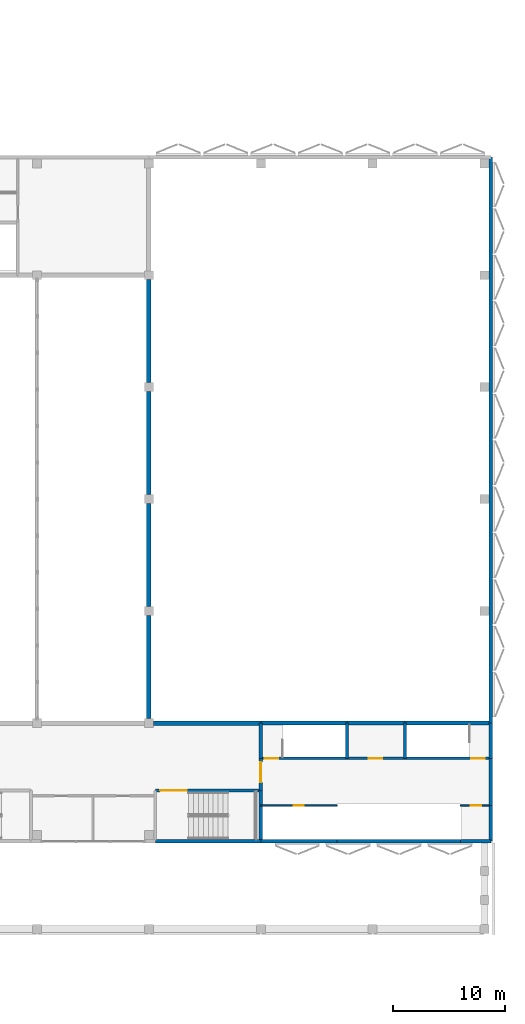
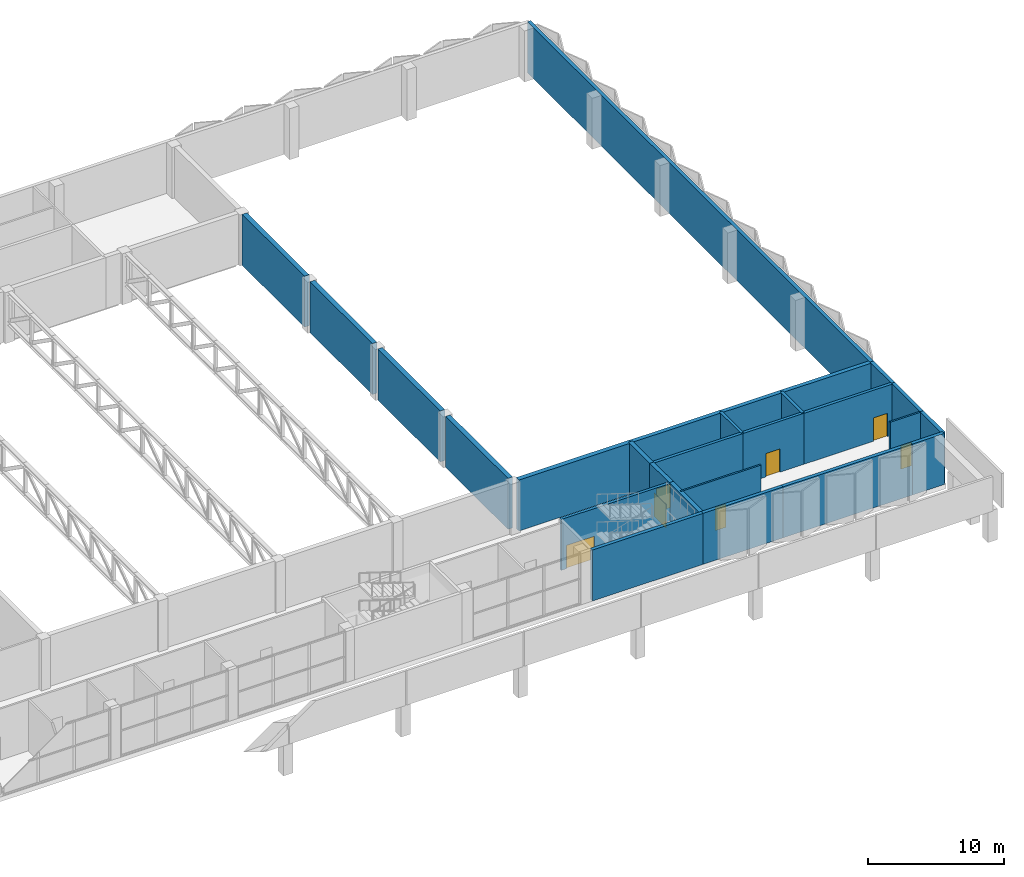
# One storey, part 18 of 36: 27 walls, 7 doors, 7 openings.
"""IFC4 building model written with IfcOpenShell, lengths in metres."""

import ifcopenshell
import ifcopenshell.guid

model = None  # the IFC model being written
_history = None  # IfcOwnerHistory: only IFC2X3 demands one
_inside = {}  # id of a spatial element -> (the spatial element, [elements in it])
_under = {}  # id of a project, library or spatial element -> (it, [spatial elements below it])
_declared = {}  # id of a project -> (the project, [libraries it declares])
_typed = {}  # id of a type object -> (the type object, [elements of that type])
_made_of = {}  # id of a material, layer set ... -> (it, [elements and type objects made of it])


def new_model(schema):
    """Start an empty IFC model of exactly this schema.

    Asked for "IFC4X3", IfcOpenShell would pick the latest addendum, in which some entities
    have other attributes; the version numbers below select the first issue.
    IFC2X3 requires an IfcOwnerHistory on every rooted entity: one is made here for all.
    """
    global model, _history
    if schema == "IFC4X3":
        model = ifcopenshell.file(schema_version=(4, 3, 0, 0))
    else:
        model = ifcopenshell.file(schema=schema)
    _inside.clear()
    _under.clear()
    _declared.clear()
    _typed.clear()
    _made_of.clear()
    _history = None
    if model.schema == "IFC2X3":
        org = make("IfcOrganization", Name="unknown")
        user = make(
            "IfcPersonAndOrganization",
            ThePerson=make("IfcPerson", FamilyName="unknown"),
            TheOrganization=org,
        )
        app = make(
            "IfcApplication",
            ApplicationDeveloper=org,
            Version="unknown",
            ApplicationFullName="unknown",
            ApplicationIdentifier="unknown",
        )
        _history = make(
            "IfcOwnerHistory",
            OwningUser=user,
            OwningApplication=app,
            ChangeAction="ADDED",
            CreationDate=0,
        )
    return model


def make(cls, **values):
    """One entity of the class cls with the attributes given. An attribute that is None is left unset."""
    return model.create_entity(
        cls, **{name: value for name, value in values.items() if value is not None}
    )


def rooted(cls, **values):
    """An entity with a GlobalId (a new one), such as an element, a storey or a relation."""
    return make(cls, GlobalId=ifcopenshell.guid.new(), OwnerHistory=_history, **values)


def si_unit(unit_type, name, prefix=None):
    """IfcSIUnit, for example si_unit("LENGTHUNIT", "METRE", prefix="MILLI")."""
    return make("IfcSIUnit", UnitType=unit_type, Prefix=prefix, Name=name)


def assignment(units):
    """IfcUnitAssignment: the units of a project."""
    return None if units is None else make("IfcUnitAssignment", Units=units)


def point(xyz):
    """IfcCartesianPoint."""
    return None if xyz is None else make("IfcCartesianPoint", Coordinates=xyz)


def direction(xyz):
    """IfcDirection."""
    return None if xyz is None else make("IfcDirection", DirectionRatios=xyz)


def frame(location, z_axis=None, x_axis=None):
    """IfcAxis2Placement3D, a coordinate frame: its origin and axes. An axis left out is left unset."""
    return make(
        "IfcAxis2Placement3D",
        Location=point(location),
        Axis=direction(z_axis),
        RefDirection=direction(x_axis),
    )


def frame_2d(location, x_axis=None):
    """IfcAxis2Placement2D, a coordinate frame in the plane: its origin and x axis."""
    return make(
        "IfcAxis2Placement2D", Location=point(location), RefDirection=direction(x_axis)
    )


def origin():
    """The frame at (0, 0, 0) with its axes left unset."""
    return frame((0.0, 0.0, 0.0))


def place(relative_to, where):
    """IfcLocalPlacement: puts the frame where relative to a parent placement (None: the world)."""
    return make(
        "IfcLocalPlacement", PlacementRelTo=relative_to, RelativePlacement=where
    )


def context(
    kind, dimensions, precision=None, world=None, true_north=None, identifier=None
):
    """IfcGeometricRepresentationContext, for example the 3D "Model" context."""
    return make(
        "IfcGeometricRepresentationContext",
        ContextIdentifier=identifier,
        ContextType=kind,
        CoordinateSpaceDimension=dimensions,
        Precision=precision,
        WorldCoordinateSystem=world,
        TrueNorth=true_north,
    )


def subcontext(parent, identifier, kind, view, scale=None):
    """IfcGeometricRepresentationSubContext, for example "Body" below "Model"."""
    return make(
        "IfcGeometricRepresentationSubContext",
        ContextIdentifier=identifier,
        ContextType=kind,
        ParentContext=parent,
        TargetScale=scale,
        TargetView=view,
    )


def project(units=None, contexts=None):
    """IfcProject with its units and contexts."""
    return rooted(
        "IfcProject",
        Name="project",
        RepresentationContexts=contexts,
        UnitsInContext=assignment(units),
    )


def spatial(cls, under=None, at=None, **own):
    """A site, building, storey or space (cls), placed at a placement, below another one or the project."""
    s = rooted(cls, ObjectPlacement=at, **own)
    if under is not None:
        _under.setdefault(under.id(), (under, []))[1].append(s)
    return s


def profile(cls, at=None, kind="AREA", **sizes):
    """A parametric profile (cls). Its sizes go by their IFC names, for example OverallWidth=200.0."""
    return make(cls, ProfileType=kind, Position=at, **sizes)


def rectangle(**sizes):
    """IfcRectangleProfileDef."""
    return profile("IfcRectangleProfileDef", **sizes)


def extrude(swept, where, along, depth):
    """IfcExtrudedAreaSolid: the profile swept, set in the frame where, extruded along a direction by depth."""
    return make(
        "IfcExtrudedAreaSolid",
        SweptArea=swept,
        Position=where,
        ExtrudedDirection=direction(along),
        Depth=depth,
    )


def shape(context_of_items, identifier, shape_type, items):
    """IfcShapeRepresentation: the items that make up one representation, for example the "Body"."""
    return make(
        "IfcShapeRepresentation",
        ContextOfItems=context_of_items,
        RepresentationIdentifier=identifier,
        RepresentationType=shape_type,
        Items=items,
    )


def material(Name=None, Category=None):
    """IfcMaterial."""
    return make("IfcMaterial", Name=Name, Category=Category)


def layer(
    of_material, thickness, ventilated=None, Name=None, Category=None, Priority=None
):
    """IfcMaterialLayer: one layer of a wall or slab, of a material (None: an air gap)."""
    return make(
        "IfcMaterialLayer",
        Material=of_material,
        LayerThickness=thickness,
        IsVentilated=ventilated,
        Name=Name,
        Category=Category,
        Priority=Priority,
    )


def layer_set(layers, Name=None):
    """IfcMaterialLayerSet."""
    return make("IfcMaterialLayerSet", MaterialLayers=layers, LayerSetName=Name)


def made_of(thing, what):
    """Note that an element or type object is made of a material, layer set ...; save() writes the relation."""
    if what is not None:
        _made_of.setdefault(what.id(), (what, []))[1].append(thing)
    return thing


def type_object(cls, material=None, **own):
    """A type object (cls), such as IfcWallType, which elements share."""
    return made_of(rooted(cls, **own), material)


def element(
    cls,
    number,
    at=None,
    inside=None,
    cuts=None,
    type_object=None,
    material=None,
    context=None,
    identifier="Body",
    shape_type=None,
    held_by="IfcProductDefinitionShape",
    body=None,
    shapes=None,
    **own,
):
    """One element of the class cls, such as IfcWall. Its Tag is "e" and its number.

    at: its placement. inside: the storey or other place that contains it. cuts: it is an
    opening in that element (IfcRelVoidsElement). A single representation is given by context,
    identifier, shape_type and body (its items); several are given by shapes. held_by: the class
    of the entity that holds the representations. save() writes the other relations.
    """
    e = rooted(cls, Tag="e%d" % number, ObjectPlacement=at, **own)
    if body is not None:
        shapes = [shape(context, identifier, shape_type, body)]
    if shapes is not None:
        e.Representation = make(held_by, Representations=shapes)
    if inside is not None:
        _inside.setdefault(inside.id(), (inside, []))[1].append(e)
    if cuts is not None:
        rooted(
            "IfcRelVoidsElement", RelatingBuildingElement=cuts, RelatedOpeningElement=e
        )
    if type_object is not None:
        _typed.setdefault(type_object.id(), (type_object, []))[1].append(e)
    return made_of(e, material)


def fill(opening, filler):
    """IfcRelFillsElement: the door or window that sits in an opening."""
    return rooted(
        "IfcRelFillsElement",
        RelatingOpeningElement=opening,
        RelatedBuildingElement=filler,
    )


def aggregate(whole, parts):
    """IfcRelAggregates: a whole, such as a stair, and the parts it consists of."""
    return rooted("IfcRelAggregates", RelatingObject=whole, RelatedObjects=parts)


def save(model, path):
    """Write the relations noted so far, then the file.

    IfcRelAggregates (storeys below a building ...), IfcRelContainedInSpatialStructure (elements
    in a storey), IfcRelDefinesByType, IfcRelAssociatesMaterial and IfcRelDeclares: one each for
    every whole, place, type object, material and project.
    """
    for whole, parts in _under.values():
        aggregate(whole, parts)
    for where, things in _inside.values():
        rooted(
            "IfcRelContainedInSpatialStructure",
            RelatedElements=things,
            RelatingStructure=where,
        )
    for kind, things in _typed.values():
        rooted("IfcRelDefinesByType", RelatedObjects=things, RelatingType=kind)
    for what, things in _made_of.values():
        rooted("IfcRelAssociatesMaterial", RelatedObjects=things, RelatingMaterial=what)
    for by, libraries in _declared.values():
        rooted("IfcRelDeclares", RelatingContext=by, RelatedDefinitions=libraries)
    model.write(path)


model = new_model("IFC4")

# Units and contexts
model_context = context("Model", 3, precision=1e-05, world=origin(), true_north=direction((0.0, 1.0)))
body_context = subcontext(model_context, "Body", "Model", "MODEL_VIEW")
ifc_project = project(units=[si_unit("LENGTHUNIT", "METRE"), si_unit("AREAUNIT", "SQUARE_METRE"), si_unit("VOLUMEUNIT", "CUBIC_METRE"), si_unit("PLANEANGLEUNIT", "RADIAN"), si_unit("MASSUNIT", "GRAM", prefix="KILO")], contexts=[model_context])

# Site, building, storey
site_placement = place(None, origin())
site = spatial("IfcSite", under=ifc_project, at=site_placement, CompositionType="ELEMENT")
building_placement = place(site_placement, origin())
building = spatial("IfcBuilding", under=site, at=building_placement, Name="Jabali Bay Hotel Tower and Convention Centre", CompositionType="ELEMENT")
storey_placement = place(building_placement, frame((0.0, 0.0, 20.39990234375)))
storey = spatial("IfcBuildingStorey", under=building, at=storey_placement, Name="L03", CompositionType="ELEMENT", Elevation=20.39990234375)

# Walls
ifc_material_1 = material(Name="Concrete C60", Category="concrete")
ifc_layer_1 = layer(ifc_material_1, 0.35009765625)
ifc_layer_set_1 = layer_set([ifc_layer_1], Name="Concrete C60")
wall_type_1 = type_object("IfcWallType", Name="CC Core Wall 350", PredefinedType="SHEAR", material=ifc_layer_set_1)
wall_1_placement = place(storey_placement, frame((230.699951171875, 60.0, 0.0), z_axis=(0.0, 0.0, 1.0), x_axis=(1.0, 0.0, 0.0)))
element("IfcWall", 1, at=wall_1_placement, inside=storey, type_object=wall_type_1, Name="CC east core wall", PredefinedType="SHEAR", context=body_context, shape_type="SweptSolid", body=[
    extrude(rectangle(XDim=7.699951171875, YDim=0.35009765625, at=frame_2d((3.85009765625, 0.0))), origin(), (0.0, 0.0, 1.0), 4.590087890625),
])
wall_2_placement = place(storey_placement, frame((238.39990234375, 60.0, 0.0), z_axis=(0.0, 0.0, 1.0), x_axis=(1.0, 0.0, 0.0)))
element("IfcWall", 2, at=wall_2_placement, inside=storey, type_object=wall_type_1, Name="CC east core wall", PredefinedType="SHEAR", context=body_context, shape_type="SweptSolid", body=[
    extrude(rectangle(XDim=5.175048828125, YDim=0.35009765625, at=frame_2d((2.58740234375, 0.0))), origin(), (0.0, 0.0, 1.0), 4.590087890625),
])
wall_3_placement = place(storey_placement, frame((243.574951171875, 60.0, 0.0), z_axis=(0.0, 0.0, 1.0), x_axis=(1.0, 0.0, 0.0)))
element("IfcWall", 3, at=wall_3_placement, inside=storey, type_object=wall_type_1, Name="CC east core wall", PredefinedType="SHEAR", context=body_context, shape_type="SweptSolid", body=[
    extrude(rectangle(XDim=7.525146484375, YDim=0.35009765625, at=frame_2d((3.7626953125, 0.0))), origin(), (0.0, 0.0, 1.0), 4.590087890625),
])
wall_4_placement = place(storey_placement, frame((230.699951171875, 49.60009765625, 0.0), z_axis=(0.0, 0.0, 1.0), x_axis=(0.0, 1.0, 0.0)))
element("IfcWall", 4, at=wall_4_placement, inside=storey, type_object=wall_type_1, Name="CC east core wall", PredefinedType="SHEAR", context=body_context, shape_type="SweptSolid", body=[
    extrude(rectangle(XDim=4.375, YDim=0.35009765625, at=frame_2d((2.1875, 0.0))), origin(), (0.0, 0.0, 1.0), 4.590087890625),
])

# Wall, opening, door
wall_5_placement = place(storey_placement, frame((230.699951171875, 53.97509765625, 0.0), z_axis=(0.0, 0.0, 1.0), x_axis=(0.0, 1.0, 0.0)))
wall_5 = element("IfcWall", 5, at=wall_5_placement, inside=storey, type_object=wall_type_1, Name="CC east core wall", PredefinedType="SHEAR", context=body_context, shape_type="SweptSolid", body=[
    extrude(rectangle(XDim=2.875, YDim=0.35009765625, at=frame_2d((1.4375, 0.0))), origin(), (0.0, 0.0, 1.0), 4.590087890625),
])
opening_1_placement = place(wall_5_placement, frame((0.72509765625, 0.0, 0.0)))
opening_1 = element("IfcOpeningElement", 6, at=opening_1_placement, cuts=wall_5, Name="Opening CC-D066", PredefinedType="OPENING", context=body_context, shape_type="SweptSolid", body=[
    extrude(rectangle(XDim=1.800048828125, YDim=2.10009765625, at=frame_2d((0.89990234375, 1.050048828125))), frame((0.0, 0.185546875, 0.0), z_axis=(0.0, -1.0, 0.0), x_axis=(1.0, 0.0, 0.0)), (0.0, 0.0, 1.0), 0.37109375),
])
ifc_material_2 = material(Name="Timber and steel door set", Category="steel")
door_type_1 = type_object("IfcDoorType", Name="CC Double Door 1800x2100", OperationType="NOTDEFINED", PredefinedType="DOOR", material=ifc_material_2)
door_1_placement = place(opening_1_placement, origin())
door_1 = element("IfcDoor", 7, at=door_1_placement, inside=storey, type_object=door_type_1, Name="CC door CC-D066", OperationType="DOUBLE_DOOR_SINGLE_SWING", OverallHeight=2.10009765625, OverallWidth=1.800048828125, PredefinedType="DOOR", context=body_context, shape_type="SweptSolid", body=[
    extrude(rectangle(XDim=1.800048828125, YDim=2.10009765625, at=frame_2d((0.89990234375, 1.050048828125))), frame((0.0, 0.02490234375, 0.0), z_axis=(0.0, -1.0, 0.0), x_axis=(1.0, 0.0, 0.0)), (0.0, 0.0, 1.0), 0.050048828125),
])
fill(opening_1, door_1)

# Walls
wall_6_placement = place(storey_placement, frame((230.699951171875, 56.85009765625, 0.0), z_axis=(0.0, 0.0, 1.0), x_axis=(0.0, 1.0, 0.0)))
element("IfcWall", 8, at=wall_6_placement, inside=storey, type_object=wall_type_1, Name="CC east core wall", PredefinedType="SHEAR", context=body_context, shape_type="SweptSolid", body=[
    extrude(rectangle(XDim=3.14990234375, YDim=0.35009765625, at=frame_2d((1.574951171875, 0.0))), origin(), (0.0, 0.0, 1.0), 4.590087890625),
])
ifc_material_3 = material(Name="Concrete C40", Category="concrete")
ifc_layer_2 = layer(ifc_material_3, 0.300048828125)
ifc_layer_set_2 = layer_set([ifc_layer_2], Name="Concrete C40")
wall_type_2 = type_object("IfcWallType", Name="CC External Wall 300", PredefinedType="SOLIDWALL", material=ifc_layer_set_2)
wall_7_placement = place(storey_placement, frame((251.25, 60.0, 0.0), z_axis=(0.0, 0.0, 1.0), x_axis=(0.0, 1.0, 0.0)))
element("IfcWall", 9, at=wall_7_placement, inside=storey, type_object=wall_type_2, Name="CC plenary hall external wall", PredefinedType="SOLIDWALL", context=body_context, shape_type="SweptSolid", body=[
    extrude(rectangle(XDim=50.550048828125, YDim=0.300048828125, at=frame_2d((25.27490234375, 0.0))), origin(), (0.0, 0.0, 1.0), 4.590087890625),
])
wall_8_placement = place(storey_placement, frame((248.52490234375, 49.449951171875, 0.0), z_axis=(0.0, 0.0, 1.0), x_axis=(1.0, 0.0, 0.0)))
element("IfcWall", 10, at=wall_8_placement, inside=storey, type_object=wall_type_2, Name="CC wall 237", PredefinedType="SOLIDWALL", context=body_context, shape_type="SweptSolid", body=[
    extrude(rectangle(XDim=2.72509765625, YDim=0.300048828125, at=frame_2d((1.362548828125, 0.0))), origin(), (0.0, 0.0, 1.0), 4.590087890625),
])
wall_9_placement = place(storey_placement, frame((251.25, 49.449951171875, 0.0), z_axis=(0.0, 0.0, 1.0), x_axis=(0.0, 1.0, 0.0)))
element("IfcWall", 11, at=wall_9_placement, inside=storey, type_object=wall_type_2, Name="CC wall 239", PredefinedType="SOLIDWALL", context=body_context, shape_type="SweptSolid", body=[
    extrude(rectangle(XDim=3.175048828125, YDim=0.300048828125, at=frame_2d((1.58740234375, 0.0))), origin(), (0.0, 0.0, 1.0), 4.590087890625),
])
wall_10_placement = place(storey_placement, frame((230.699951171875, 49.449951171875, 0.0), z_axis=(0.0, 0.0, 1.0), x_axis=(1.0, 0.0, 0.0)))
element("IfcWall", 12, at=wall_10_placement, inside=storey, type_object=wall_type_2, Name="CC wall 240", PredefinedType="SOLIDWALL", context=body_context, shape_type="SweptSolid", body=[
    extrude(rectangle(XDim=6.824951171875, YDim=0.300048828125, at=frame_2d((3.41259765625, 0.0))), origin(), (0.0, 0.0, 1.0), 4.590087890625),
])
wall_11_placement = place(storey_placement, frame((221.27490234375, 49.449951171875, 0.0), z_axis=(0.0, 0.0, 1.0), x_axis=(1.0, 0.0, 0.0)))
element("IfcWall", 13, at=wall_11_placement, inside=storey, type_object=wall_type_2, Name="CC wall 320", PredefinedType="SOLIDWALL", context=body_context, shape_type="SweptSolid", body=[
    extrude(rectangle(XDim=9.425048828125, YDim=0.300048828125, at=frame_2d((4.71240234375, 0.0))), origin(), (0.0, 0.0, 1.0), 4.590087890625),
])
wall_12_placement = place(storey_placement, frame((237.52490234375, 49.449951171875, 0.0), z_axis=(0.0, 0.0, 1.0), x_axis=(1.0, 0.0, 0.0)))
element("IfcWall", 14, at=wall_12_placement, inside=storey, type_object=wall_type_2, Name="CC wall 321", PredefinedType="SOLIDWALL", context=body_context, shape_type="SweptSolid", body=[
    extrude(rectangle(XDim=11.0, YDim=0.300048828125, at=frame_2d((5.5, 0.0))), origin(), (0.0, 0.0, 1.0), 4.590087890625),
])
wall_13_placement = place(storey_placement, frame((251.25, 52.625, 0.0), z_axis=(0.0, 0.0, 1.0), x_axis=(0.0, 1.0, 0.0)))
element("IfcWall", 15, at=wall_13_placement, inside=storey, type_object=wall_type_2, Name="CC wall 324", PredefinedType="SOLIDWALL", context=body_context, shape_type="SweptSolid", body=[
    extrude(rectangle(XDim=4.22509765625, YDim=0.300048828125, at=frame_2d((2.112548828125, 0.0))), origin(), (0.0, 0.0, 1.0), 4.590087890625),
])
wall_14_placement = place(storey_placement, frame((251.25, 56.85009765625, 0.0), z_axis=(0.0, 0.0, 1.0), x_axis=(0.0, 1.0, 0.0)))
element("IfcWall", 16, at=wall_14_placement, inside=storey, type_object=wall_type_2, Name="CC wall 325", PredefinedType="SOLIDWALL", context=body_context, shape_type="SweptSolid", body=[
    extrude(rectangle(XDim=3.14990234375, YDim=0.300048828125, at=frame_2d((1.574951171875, 0.0))), origin(), (0.0, 0.0, 1.0), 4.590087890625),
])
ifc_layer_3 = layer(ifc_material_3, 0.39990234375)
ifc_layer_set_3 = layer_set([ifc_layer_3], Name="Concrete C40")
wall_type_3 = type_object("IfcWallType", Name="CC Hall Wall 400", PredefinedType="SHEAR", material=ifc_layer_set_3)
for number, where, z_axis, x_axis, name in (
    (17, (220.699951171875, 60.39990234375, 0.0), (0.0, 0.0, 1.0), (0.0, 1.0, 0.0), "CC plenary hall wall"),
    (18, (220.699951171875, 70.39990234375, 0.0), (0.0, 0.0, 1.0), (0.0, 1.0, 0.0), "CC plenary hall wall"),
    (19, (220.699951171875, 80.39990234375, 0.0), (0.0, 0.0, 1.0), (0.0, 1.0, 0.0), "CC plenary hall wall"),
    (20, (220.699951171875, 90.39990234375, 0.0), (0.0, 0.0, 1.0), (0.0, 1.0, 0.0), "CC plenary hall wall"),
):
    element("IfcWall", number, at=place(storey_placement, frame(where, z_axis=z_axis, x_axis=x_axis)), inside=storey, type_object=wall_type_3, Name=name, PredefinedType="SHEAR", context=body_context, shape_type="SweptSolid", body=[
        extrude(rectangle(XDim=9.2001953125, YDim=0.39990234375, at=frame_2d((4.60009765625, 0.0))), origin(), (0.0, 0.0, 1.0), 4.590087890625),
    ])
wall_15_placement = place(storey_placement, frame((221.10009765625, 60.0, 0.0), z_axis=(0.0, 0.0, 1.0), x_axis=(1.0, 0.0, 0.0)))
element("IfcWall", 21, at=wall_15_placement, inside=storey, type_object=wall_type_3, Name="CC plenary hall wall", PredefinedType="SHEAR", context=body_context, shape_type="SweptSolid", body=[
    extrude(rectangle(XDim=9.599853515625, YDim=0.39990234375, at=frame_2d((4.7998046875, 0.0))), origin(), (0.0, 0.0, 1.0), 4.590087890625),
])

# Wall, opening, door
ifc_material_4 = material(Name="Blockwork M10", Category="masonry")
ifc_layer_4 = layer(ifc_material_4, 0.14990234375)
ifc_layer_set_4 = layer_set([ifc_layer_4], Name="Blockwork M10")
wall_type_4 = type_object("IfcWallType", Name="CC Partition 150", PredefinedType="PARTITIONING", material=ifc_layer_set_4)
wall_16_placement = place(storey_placement, frame((251.10009765625, 52.625, 0.0), z_axis=(0.0, 0.0, 1.0), x_axis=(-1.0, 0.0, 0.0)))
wall_16 = element("IfcWall", 22, at=wall_16_placement, inside=storey, type_object=wall_type_4, Name="CC wall 238", PredefinedType="PARTITIONING", context=body_context, shape_type="SweptSolid", body=[
    extrude(rectangle(XDim=2.5751953125, YDim=0.14990234375, at=frame_2d((1.28759765625, 0.0))), origin(), (0.0, 0.0, 1.0), 4.590087890625),
])
opening_2_placement = place(wall_16_placement, frame((0.72509765625, 0.0, 0.0)))
opening_2 = element("IfcOpeningElement", 23, at=opening_2_placement, cuts=wall_16, Name="Opening CC-D209", PredefinedType="OPENING", context=body_context, shape_type="SweptSolid", body=[
    extrude(rectangle(XDim=0.89990234375, YDim=2.10009765625, at=frame_2d((0.449951171875, 1.050048828125))), frame((0.0, 0.08544921875, 0.0), z_axis=(0.0, -1.0, 0.0), x_axis=(1.0, 0.0, 0.0)), (0.0, 0.0, 1.0), 0.1708984375),
])
door_type_2 = type_object("IfcDoorType", Name="CC Riser Door 900x2100", OperationType="NOTDEFINED", PredefinedType="DOOR", material=ifc_material_2)
door_2_placement = place(opening_2_placement, origin())
door_2 = element("IfcDoor", 24, at=door_2_placement, inside=storey, type_object=door_type_2, Name="CC door CC-D209", OperationType="SINGLE_SWING_LEFT", OverallHeight=2.10009765625, OverallWidth=0.89990234375, PredefinedType="DOOR", context=body_context, shape_type="SweptSolid", body=[
    extrude(rectangle(XDim=0.89990234375, YDim=2.10009765625, at=frame_2d((0.449951171875, 1.050048828125))), frame((0.0, 0.02490234375, 0.0), z_axis=(0.0, -1.0, 0.0), x_axis=(1.0, 0.0, 0.0)), (0.0, 0.0, 1.0), 0.050048828125),
])
fill(opening_2, door_2)

wall_17_placement = place(storey_placement, frame((237.52490234375, 52.625, 0.0), z_axis=(0.0, 0.0, 1.0), x_axis=(-1.0, 0.0, 0.0)))
wall_17 = element("IfcWall", 25, at=wall_17_placement, inside=storey, type_object=wall_type_4, Name="CC wall 241", PredefinedType="PARTITIONING", context=body_context, shape_type="SweptSolid", body=[
    extrude(rectangle(XDim=6.824951171875, YDim=0.14990234375, at=frame_2d((3.41259765625, 0.0))), origin(), (0.0, 0.0, 1.0), 4.590087890625),
])
opening_3_placement = place(wall_17_placement, frame((2.97509765625, 0.0, 0.0)))
opening_3 = element("IfcOpeningElement", 26, at=opening_3_placement, cuts=wall_17, Name="Opening CC-D210", PredefinedType="OPENING", context=body_context, shape_type="SweptSolid", body=[
    extrude(rectangle(XDim=0.89990234375, YDim=2.10009765625, at=frame_2d((0.449951171875, 1.050048828125))), frame((0.0, 0.08544921875, 0.0), z_axis=(0.0, -1.0, 0.0), x_axis=(1.0, 0.0, 0.0)), (0.0, 0.0, 1.0), 0.1708984375),
])
door_3_placement = place(opening_3_placement, origin())
door_3 = element("IfcDoor", 27, at=door_3_placement, inside=storey, type_object=door_type_2, Name="CC door CC-D210", OperationType="SINGLE_SWING_RIGHT", OverallHeight=2.10009765625, OverallWidth=0.89990234375, PredefinedType="DOOR", context=body_context, shape_type="SweptSolid", body=[
    extrude(rectangle(XDim=0.89990234375, YDim=2.10009765625, at=frame_2d((0.449951171875, 1.050048828125))), frame((0.0, 0.02490234375, 0.0), z_axis=(0.0, -1.0, 0.0), x_axis=(1.0, 0.0, 0.0)), (0.0, 0.0, 1.0), 0.050048828125),
])
fill(opening_3, door_3)

ifc_layer_5 = layer(ifc_material_3, 0.25)
ifc_layer_set_5 = layer_set([ifc_layer_5], Name="Concrete C40")
wall_type_5 = type_object("IfcWallType", Name="CC Shaft Wall 250", PredefinedType="SHEAR", material=ifc_layer_set_5)
wall_18_placement = place(storey_placement, frame((238.39990234375, 56.85009765625, 0.0), z_axis=(0.0, 0.0, 1.0), x_axis=(-1.0, 0.0, 0.0)))
wall_18 = element("IfcWall", 28, at=wall_18_placement, inside=storey, type_object=wall_type_5, Name="CC east core wall", PredefinedType="SHEAR", context=body_context, shape_type="SweptSolid", body=[
    extrude(rectangle(XDim=7.699951171875, YDim=0.25, at=frame_2d((3.85009765625, 0.0))), origin(), (0.0, 0.0, 1.0), 4.590087890625),
])
opening_4_placement = place(wall_18_placement, frame((6.125, 0.0, 0.0)))
opening_4 = element("IfcOpeningElement", 29, at=opening_4_placement, cuts=wall_18, Name="Opening CC-D203", PredefinedType="OPENING", context=body_context, shape_type="SweptSolid", body=[
    extrude(rectangle(XDim=1.199951171875, YDim=2.10009765625, at=frame_2d((0.60009765625, 1.050048828125))), frame((0.0, 0.135498046875, 0.0), z_axis=(0.0, -1.0, 0.0), x_axis=(1.0, 0.0, 0.0)), (0.0, 0.0, 1.0), 0.27099609375),
])
door_type_3 = type_object("IfcDoorType", Name="CC Stair Door 1200x2100", OperationType="NOTDEFINED", PredefinedType="DOOR", material=ifc_material_2)
door_4_placement = place(opening_4_placement, origin())
door_4 = element("IfcDoor", 30, at=door_4_placement, inside=storey, type_object=door_type_3, Name="CC door CC-D203", OperationType="SINGLE_SWING_LEFT", OverallHeight=2.10009765625, OverallWidth=1.199951171875, PredefinedType="DOOR", context=body_context, shape_type="SweptSolid", body=[
    extrude(rectangle(XDim=1.199951171875, YDim=2.10009765625, at=frame_2d((0.60009765625, 1.050048828125))), frame((0.0, 0.02490234375, 0.0), z_axis=(0.0, -1.0, 0.0), x_axis=(1.0, 0.0, 0.0)), (0.0, 0.0, 1.0), 0.050048828125),
])
fill(opening_4, door_4)

wall_19_placement = place(storey_placement, frame((243.574951171875, 56.85009765625, 0.0), z_axis=(0.0, 0.0, 1.0), x_axis=(-1.0, 0.0, 0.0)))
wall_19 = element("IfcWall", 31, at=wall_19_placement, inside=storey, type_object=wall_type_5, Name="CC east core wall", PredefinedType="SHEAR", context=body_context, shape_type="SweptSolid", body=[
    extrude(rectangle(XDim=5.175048828125, YDim=0.25, at=frame_2d((2.58740234375, 0.0))), origin(), (0.0, 0.0, 1.0), 4.590087890625),
])
opening_5_placement = place(wall_19_placement, frame((2.02490234375, 0.0, 0.0)))
opening_5 = element("IfcOpeningElement", 32, at=opening_5_placement, cuts=wall_19, Name="Opening CC-D204", PredefinedType="OPENING", context=body_context, shape_type="SweptSolid", body=[
    extrude(rectangle(XDim=1.199951171875, YDim=2.10009765625, at=frame_2d((0.60009765625, 1.050048828125))), frame((0.0, 0.135498046875, 0.0), z_axis=(0.0, -1.0, 0.0), x_axis=(1.0, 0.0, 0.0)), (0.0, 0.0, 1.0), 0.27099609375),
])
door_type_4 = type_object("IfcDoorType", Name="CC Vestibule Door 1200x2100", OperationType="NOTDEFINED", PredefinedType="DOOR", material=ifc_material_2)
door_5_placement = place(opening_5_placement, origin())
door_5 = element("IfcDoor", 33, at=door_5_placement, inside=storey, type_object=door_type_4, Name="CC door CC-D204", OperationType="SINGLE_SWING_RIGHT", OverallHeight=2.10009765625, OverallWidth=1.199951171875, PredefinedType="DOOR", context=body_context, shape_type="SweptSolid", body=[
    extrude(rectangle(XDim=1.199951171875, YDim=2.10009765625, at=frame_2d((0.60009765625, 1.050048828125))), frame((0.0, 0.02490234375, 0.0), z_axis=(0.0, -1.0, 0.0), x_axis=(1.0, 0.0, 0.0)), (0.0, 0.0, 1.0), 0.050048828125),
])
fill(opening_5, door_5)

wall_20_placement = place(storey_placement, frame((251.10009765625, 56.85009765625, 0.0), z_axis=(0.0, 0.0, 1.0), x_axis=(-1.0, 0.0, 0.0)))
wall_20 = element("IfcWall", 34, at=wall_20_placement, inside=storey, type_object=wall_type_5, Name="CC east core wall", PredefinedType="SHEAR", context=body_context, shape_type="SweptSolid", body=[
    extrude(rectangle(XDim=7.525146484375, YDim=0.25, at=frame_2d((3.7626953125, 0.0))), origin(), (0.0, 0.0, 1.0), 4.590087890625),
])
opening_6_placement = place(wall_20_placement, frame((0.39990234375, 0.0, 0.0)))
opening_6 = element("IfcOpeningElement", 35, at=opening_6_placement, cuts=wall_20, Name="Opening CC-D202", PredefinedType="OPENING", context=body_context, shape_type="SweptSolid", body=[
    extrude(rectangle(XDim=1.199951171875, YDim=2.10009765625, at=frame_2d((0.60009765625, 1.050048828125))), frame((0.0, 0.135498046875, 0.0), z_axis=(0.0, -1.0, 0.0), x_axis=(1.0, 0.0, 0.0)), (0.0, 0.0, 1.0), 0.27099609375),
])
door_6_placement = place(opening_6_placement, origin())
door_6 = element("IfcDoor", 36, at=door_6_placement, inside=storey, type_object=door_type_3, Name="CC door CC-D202", OperationType="SINGLE_SWING_RIGHT", OverallHeight=2.10009765625, OverallWidth=1.199951171875, PredefinedType="DOOR", context=body_context, shape_type="SweptSolid", body=[
    extrude(rectangle(XDim=1.199951171875, YDim=2.10009765625, at=frame_2d((0.60009765625, 1.050048828125))), frame((0.0, 0.02490234375, 0.0), z_axis=(0.0, -1.0, 0.0), x_axis=(1.0, 0.0, 0.0)), (0.0, 0.0, 1.0), 0.050048828125),
])
fill(opening_6, door_6)

# Walls
for number, where, z_axis, x_axis, name in (
    (37, (243.574951171875, 56.85009765625, 0.0), (0.0, 0.0, 1.0), (0.0, 1.0, 0.0), "CC east core wall"),
    (38, (238.39990234375, 56.85009765625, 0.0), (0.0, 0.0, 1.0), (0.0, 1.0, 0.0), "CC east core wall"),
):
    element("IfcWall", number, at=place(storey_placement, frame(where, z_axis=z_axis, x_axis=x_axis)), inside=storey, type_object=wall_type_5, Name=name, PredefinedType="SHEAR", context=body_context, shape_type="SweptSolid", body=[
        extrude(rectangle(XDim=3.14990234375, YDim=0.25, at=frame_2d((1.574951171875, 0.0))), origin(), (0.0, 0.0, 1.0), 4.590087890625),
    ])

# Wall, opening, door
wall_21_placement = place(storey_placement, frame((221.27490234375, 53.97509765625, 0.0), z_axis=(0.0, 0.0, 1.0), x_axis=(1.0, 0.0, 0.0)))
wall_21 = element("IfcWall", 39, at=wall_21_placement, inside=storey, type_object=wall_type_5, Name="CC wall 470", PredefinedType="SHEAR", context=body_context, shape_type="SweptSolid", body=[
    extrude(rectangle(XDim=9.425048828125, YDim=0.25, at=frame_2d((4.71240234375, 0.0))), origin(), (0.0, 0.0, 1.0), 4.590087890625),
])
opening_7_placement = place(wall_21_placement, frame((0.425048828125, 0.0, 0.0)))
opening_7 = element("IfcOpeningElement", 40, at=opening_7_placement, cuts=wall_21, Name="Opening CC-D228", PredefinedType="OPENING", context=body_context, shape_type="SweptSolid", body=[
    extrude(rectangle(XDim=2.39990234375, YDim=2.10009765625, at=frame_2d((1.199951171875, 1.050048828125))), frame((0.0, 0.135498046875, 0.0), z_axis=(0.0, -1.0, 0.0), x_axis=(1.0, 0.0, 0.0)), (0.0, 0.0, 1.0), 0.27099609375),
])
door_type_5 = type_object("IfcDoorType", Name="CC Stair Door Pair 2400x2100", OperationType="NOTDEFINED", PredefinedType="DOOR", material=ifc_material_2)
door_7_placement = place(opening_7_placement, origin())
door_7 = element("IfcDoor", 41, at=door_7_placement, inside=storey, type_object=door_type_5, Name="CC door CC-D228", OperationType="DOUBLE_DOOR_SINGLE_SWING", OverallHeight=2.10009765625, OverallWidth=2.39990234375, PredefinedType="DOOR", context=body_context, shape_type="SweptSolid", body=[
    extrude(rectangle(XDim=2.39990234375, YDim=2.10009765625, at=frame_2d((1.199951171875, 1.050048828125))), frame((0.0, 0.02490234375, 0.0), z_axis=(0.0, -1.0, 0.0), x_axis=(1.0, 0.0, 0.0)), (0.0, 0.0, 1.0), 0.050048828125),
])
fill(opening_7, door_7)

save(model, "model.ifc")
